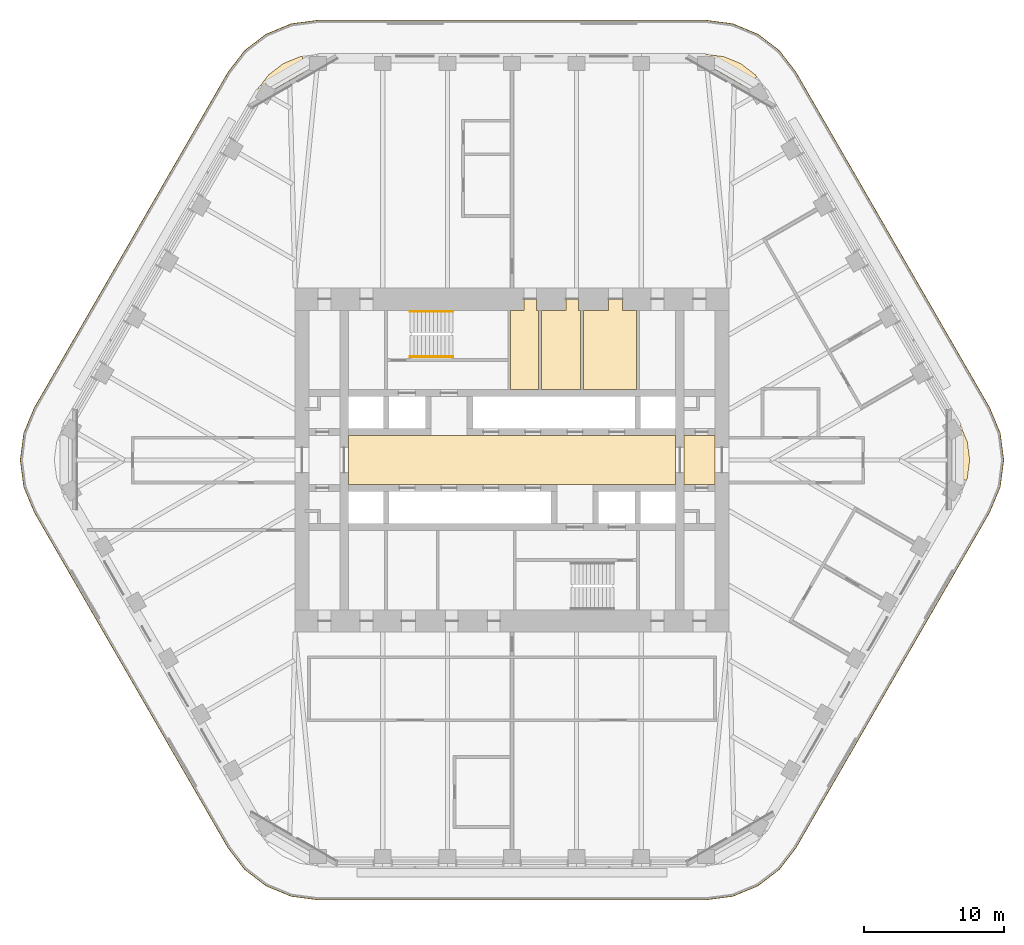
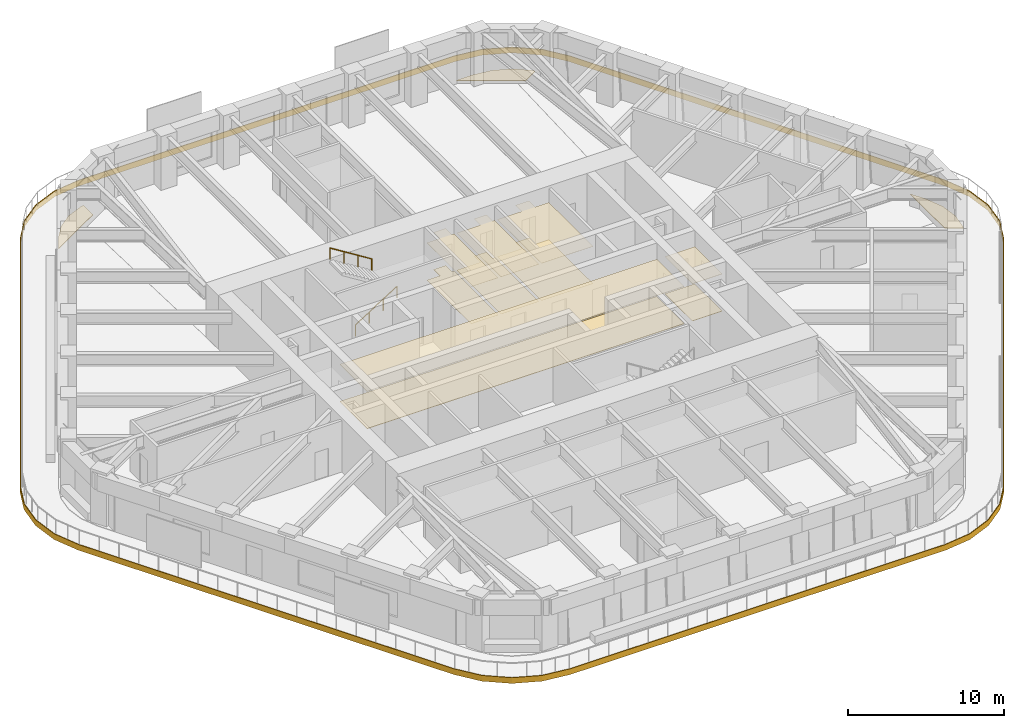
# One storey, part 19 of 20: 14 coverings, 2 railings.
"""IFC4 building model written with IfcOpenShell, lengths in metres."""

import ifcopenshell
import ifcopenshell.guid

model = None  # the IFC model being written
_history = None  # IfcOwnerHistory: only IFC2X3 demands one
_inside = {}  # id of a spatial element -> (the spatial element, [elements in it])
_under = {}  # id of a project, library or spatial element -> (it, [spatial elements below it])
_declared = {}  # id of a project -> (the project, [libraries it declares])
_typed = {}  # id of a type object -> (the type object, [elements of that type])
_made_of = {}  # id of a material, layer set ... -> (it, [elements and type objects made of it])


def new_model(schema):
    """Start an empty IFC model of exactly this schema.

    Asked for "IFC4X3", IfcOpenShell would pick the latest addendum, in which some entities
    have other attributes; the version numbers below select the first issue.
    IFC2X3 requires an IfcOwnerHistory on every rooted entity: one is made here for all.
    """
    global model, _history
    if schema == "IFC4X3":
        model = ifcopenshell.file(schema_version=(4, 3, 0, 0))
    else:
        model = ifcopenshell.file(schema=schema)
    _inside.clear()
    _under.clear()
    _declared.clear()
    _typed.clear()
    _made_of.clear()
    _history = None
    if model.schema == "IFC2X3":
        org = make("IfcOrganization", Name="unknown")
        user = make(
            "IfcPersonAndOrganization",
            ThePerson=make("IfcPerson", FamilyName="unknown"),
            TheOrganization=org,
        )
        app = make(
            "IfcApplication",
            ApplicationDeveloper=org,
            Version="unknown",
            ApplicationFullName="unknown",
            ApplicationIdentifier="unknown",
        )
        _history = make(
            "IfcOwnerHistory",
            OwningUser=user,
            OwningApplication=app,
            ChangeAction="ADDED",
            CreationDate=0,
        )
    return model


def make(cls, **values):
    """One entity of the class cls with the attributes given. An attribute that is None is left unset."""
    return model.create_entity(
        cls, **{name: value for name, value in values.items() if value is not None}
    )


def rooted(cls, **values):
    """An entity with a GlobalId (a new one), such as an element, a storey or a relation."""
    return make(cls, GlobalId=ifcopenshell.guid.new(), OwnerHistory=_history, **values)


def si_unit(unit_type, name, prefix=None):
    """IfcSIUnit, for example si_unit("LENGTHUNIT", "METRE", prefix="MILLI")."""
    return make("IfcSIUnit", UnitType=unit_type, Prefix=prefix, Name=name)


def assignment(units):
    """IfcUnitAssignment: the units of a project."""
    return None if units is None else make("IfcUnitAssignment", Units=units)


def point(xyz):
    """IfcCartesianPoint."""
    return None if xyz is None else make("IfcCartesianPoint", Coordinates=xyz)


def direction(xyz):
    """IfcDirection."""
    return None if xyz is None else make("IfcDirection", DirectionRatios=xyz)


def frame(location, z_axis=None, x_axis=None):
    """IfcAxis2Placement3D, a coordinate frame: its origin and axes. An axis left out is left unset."""
    return make(
        "IfcAxis2Placement3D",
        Location=point(location),
        Axis=direction(z_axis),
        RefDirection=direction(x_axis),
    )


def frame_2d(location, x_axis=None):
    """IfcAxis2Placement2D, a coordinate frame in the plane: its origin and x axis."""
    return make(
        "IfcAxis2Placement2D", Location=point(location), RefDirection=direction(x_axis)
    )


def origin():
    """The frame at (0, 0, 0) with its axes left unset."""
    return frame((0.0, 0.0, 0.0))


def origin_2d():
    """The frame at (0, 0) in the plane with its x axis left unset."""
    return frame_2d((0.0, 0.0))


def place(relative_to, where):
    """IfcLocalPlacement: puts the frame where relative to a parent placement (None: the world)."""
    return make(
        "IfcLocalPlacement", PlacementRelTo=relative_to, RelativePlacement=where
    )


def context(
    kind, dimensions, precision=None, world=None, true_north=None, identifier=None
):
    """IfcGeometricRepresentationContext, for example the 3D "Model" context."""
    return make(
        "IfcGeometricRepresentationContext",
        ContextIdentifier=identifier,
        ContextType=kind,
        CoordinateSpaceDimension=dimensions,
        Precision=precision,
        WorldCoordinateSystem=world,
        TrueNorth=true_north,
    )


def subcontext(parent, identifier, kind, view, scale=None):
    """IfcGeometricRepresentationSubContext, for example "Body" below "Model"."""
    return make(
        "IfcGeometricRepresentationSubContext",
        ContextIdentifier=identifier,
        ContextType=kind,
        ParentContext=parent,
        TargetScale=scale,
        TargetView=view,
    )


def project(units=None, contexts=None):
    """IfcProject with its units and contexts."""
    return rooted(
        "IfcProject",
        Name="project",
        RepresentationContexts=contexts,
        UnitsInContext=assignment(units),
    )


def spatial(cls, under=None, at=None, **own):
    """A site, building, storey or space (cls), placed at a placement, below another one or the project."""
    s = rooted(cls, ObjectPlacement=at, **own)
    if under is not None:
        _under.setdefault(under.id(), (under, []))[1].append(s)
    return s


def polyline(points):
    """IfcPolyline through the points."""
    return make("IfcPolyline", Points=[point(p) for p in points])


def profile(cls, at=None, kind="AREA", **sizes):
    """A parametric profile (cls). Its sizes go by their IFC names, for example OverallWidth=200.0."""
    return make(cls, ProfileType=kind, Position=at, **sizes)


def circle(**sizes):
    """IfcCircleProfileDef."""
    return profile("IfcCircleProfileDef", **sizes)


def outline(outer, holes=None, kind="AREA"):
    """IfcArbitraryClosedProfileDef: a profile drawn as a closed curve; with holes, ...WithVoids."""
    if holes is None:
        return make("IfcArbitraryClosedProfileDef", ProfileType=kind, OuterCurve=outer)
    return make(
        "IfcArbitraryProfileDefWithVoids",
        ProfileType=kind,
        OuterCurve=outer,
        InnerCurves=holes,
    )


def extrude(swept, where, along, depth):
    """IfcExtrudedAreaSolid: the profile swept, set in the frame where, extruded along a direction by depth."""
    return make(
        "IfcExtrudedAreaSolid",
        SweptArea=swept,
        Position=where,
        ExtrudedDirection=direction(along),
        Depth=depth,
    )


def shape(context_of_items, identifier, shape_type, items):
    """IfcShapeRepresentation: the items that make up one representation, for example the "Body"."""
    return make(
        "IfcShapeRepresentation",
        ContextOfItems=context_of_items,
        RepresentationIdentifier=identifier,
        RepresentationType=shape_type,
        Items=items,
    )


def material(Name=None, Category=None):
    """IfcMaterial."""
    return make("IfcMaterial", Name=Name, Category=Category)


def layer(
    of_material, thickness, ventilated=None, Name=None, Category=None, Priority=None
):
    """IfcMaterialLayer: one layer of a wall or slab, of a material (None: an air gap)."""
    return make(
        "IfcMaterialLayer",
        Material=of_material,
        LayerThickness=thickness,
        IsVentilated=ventilated,
        Name=Name,
        Category=Category,
        Priority=Priority,
    )


def layer_set(layers, Name=None):
    """IfcMaterialLayerSet."""
    return make("IfcMaterialLayerSet", MaterialLayers=layers, LayerSetName=Name)


def made_of(thing, what):
    """Note that an element or type object is made of a material, layer set ...; save() writes the relation."""
    if what is not None:
        _made_of.setdefault(what.id(), (what, []))[1].append(thing)
    return thing


def type_object(cls, material=None, **own):
    """A type object (cls), such as IfcWallType, which elements share."""
    return made_of(rooted(cls, **own), material)


def element(
    cls,
    number,
    at=None,
    inside=None,
    cuts=None,
    type_object=None,
    material=None,
    context=None,
    identifier="Body",
    shape_type=None,
    held_by="IfcProductDefinitionShape",
    body=None,
    shapes=None,
    **own,
):
    """One element of the class cls, such as IfcWall. Its Tag is "e" and its number.

    at: its placement. inside: the storey or other place that contains it. cuts: it is an
    opening in that element (IfcRelVoidsElement). A single representation is given by context,
    identifier, shape_type and body (its items); several are given by shapes. held_by: the class
    of the entity that holds the representations. save() writes the other relations.
    """
    e = rooted(cls, Tag="e%d" % number, ObjectPlacement=at, **own)
    if body is not None:
        shapes = [shape(context, identifier, shape_type, body)]
    if shapes is not None:
        e.Representation = make(held_by, Representations=shapes)
    if inside is not None:
        _inside.setdefault(inside.id(), (inside, []))[1].append(e)
    if cuts is not None:
        rooted(
            "IfcRelVoidsElement", RelatingBuildingElement=cuts, RelatedOpeningElement=e
        )
    if type_object is not None:
        _typed.setdefault(type_object.id(), (type_object, []))[1].append(e)
    return made_of(e, material)


def aggregate(whole, parts):
    """IfcRelAggregates: a whole, such as a stair, and the parts it consists of."""
    return rooted("IfcRelAggregates", RelatingObject=whole, RelatedObjects=parts)


def save(model, path):
    """Write the relations noted so far, then the file.

    IfcRelAggregates (storeys below a building ...), IfcRelContainedInSpatialStructure (elements
    in a storey), IfcRelDefinesByType, IfcRelAssociatesMaterial and IfcRelDeclares: one each for
    every whole, place, type object, material and project.
    """
    for whole, parts in _under.values():
        aggregate(whole, parts)
    for where, things in _inside.values():
        rooted(
            "IfcRelContainedInSpatialStructure",
            RelatedElements=things,
            RelatingStructure=where,
        )
    for kind, things in _typed.values():
        rooted("IfcRelDefinesByType", RelatedObjects=things, RelatingType=kind)
    for what, things in _made_of.values():
        rooted("IfcRelAssociatesMaterial", RelatedObjects=things, RelatingMaterial=what)
    for by, libraries in _declared.values():
        rooted("IfcRelDeclares", RelatingContext=by, RelatedDefinitions=libraries)
    model.write(path)


model = new_model("IFC4")

# Units and contexts
model_context = context("Model", 3, precision=1e-05, world=origin(), true_north=direction((0.0, 1.0)))
body_context = subcontext(model_context, "Body", "Model", "MODEL_VIEW")
ifc_project = project(units=[si_unit("LENGTHUNIT", "METRE"), si_unit("AREAUNIT", "SQUARE_METRE"), si_unit("VOLUMEUNIT", "CUBIC_METRE"), si_unit("PLANEANGLEUNIT", "RADIAN"), si_unit("MASSUNIT", "GRAM", prefix="KILO")], contexts=[model_context])

# Site, building, storey
site_placement = place(None, origin())
site = spatial("IfcSite", under=ifc_project, at=site_placement, CompositionType="ELEMENT")
building_placement = place(site_placement, origin())
building = spatial("IfcBuilding", under=site, at=building_placement, Name="Tarfa Lantern Tower", CompositionType="ELEMENT")
storey_placement = place(building_placement, frame((0.0, 0.0, 257.5)))
storey = spatial("IfcBuildingStorey", under=building, at=storey_placement, Name="L58", CompositionType="ELEMENT", Elevation=257.5)

# Coverings
ifc_material_1 = material(Name="Moisture-resistant plasterboard", Category="finish")
ifc_layer_1 = layer(ifc_material_1, 0.014892578125)
ifc_layer_set_1 = layer_set([ifc_layer_1], Name="CL2 MOISTURE-RESISTANT PLASTERBOARD CEILING 15")
covering_type_1 = type_object("IfcCoveringType", Name="CL2 MOISTURE-RESISTANT PLASTERBOARD CEILING 15", PredefinedType="CEILING", material=ifc_layer_set_1)
covering_1_placement = place(storey_placement, frame((0.0, 0.0, 2.89990234375)))
element("IfcCovering", 1, at=covering_1_placement, inside=storey, type_object=covering_type_1, Name="Ceiling L58-07", PredefinedType="CEILING", context=body_context, shape_type="SweptSolid", body=[
    extrude(outline(polyline([(0.85009765625, 10.699951171875), (-0.10009765625, 10.699951171875), (-0.10009765625, 5.050048828125), (1.89990234375, 5.050048828125), (1.89990234375, 10.699951171875), (1.75, 10.699951171875), (1.75, 11.5), (1.75, 11.5), (0.85009765625, 11.5), (0.85009765625, 10.699951171875)])), origin(), (0.0, 0.0, 1.0), 0.01513671875),
])
covering_2_placement = place(storey_placement, frame((0.0, 0.0, 2.89990234375)))
element("IfcCovering", 2, at=covering_2_placement, inside=storey, type_object=covering_type_1, Name="Ceiling L58-08", PredefinedType="CEILING", context=body_context, shape_type="SweptSolid", body=[
    extrude(outline(polyline([(2.10009765625, 5.050048828125), (4.89990234375, 5.050048828125), (4.89990234375, 10.699951171875), (4.75, 10.699951171875), (4.75, 11.5), (3.85009765625, 11.5), (3.85009765625, 10.699951171875), (2.10009765625, 10.699951171875), (2.10009765625, 5.050048828125)])), origin(), (0.0, 0.0, 1.0), 0.01513671875),
])
covering_3_placement = place(storey_placement, frame((0.0, 0.0, 2.89990234375)))
element("IfcCovering", 3, at=covering_3_placement, inside=storey, type_object=covering_type_1, Name="Ceiling L58-09", PredefinedType="CEILING", context=body_context, shape_type="SweptSolid", body=[
    extrude(outline(polyline([(5.10009765625, 5.050048828125), (8.89990234375, 5.050048828125), (8.89990234375, 10.699951171875), (7.89990234375, 10.699951171875), (7.89990234375, 11.5), (6.89990234375, 11.5), (6.89990234375, 10.699951171875), (5.10009765625, 10.699951171875), (5.10009765625, 5.050048828125)])), origin(), (0.0, 0.0, 1.0), 0.01513671875),
])
ifc_material_2 = material(Name="Powder-coated aluminium panel", Category="aluminium")
ifc_layer_2 = layer(ifc_material_2, 0.030029296875)
ifc_layer_set_2 = layer_set([ifc_layer_2], Name="CL3 METAL PANEL CEILING 30")
covering_type_2 = type_object("IfcCoveringType", Name="CL3 METAL PANEL CEILING 30", PredefinedType="CEILING", material=ifc_layer_set_2)
covering_4_placement = place(storey_placement, frame((0.0, 0.0, 2.89990234375)))
element("IfcCovering", 4, at=covering_4_placement, inside=storey, type_object=covering_type_2, Name="Ceiling L58-02", PredefinedType="CEILING", context=body_context, shape_type="SweptSolid", body=[
    extrude(outline(polyline([(-11.699951171875, -1.75), (11.699951171875, -1.75), (11.699951171875, 1.75), (-11.699951171875, 1.75), (-11.699951171875, -1.75)])), origin(), (0.0, 0.0, 1.0), 0.030029296875),
])
covering_5_placement = place(storey_placement, frame((0.0, 0.0, 2.89990234375)))
element("IfcCovering", 5, at=covering_5_placement, inside=storey, type_object=covering_type_2, Name="Ceiling L58-03", PredefinedType="CEILING", context=body_context, shape_type="SweptSolid", body=[
    extrude(outline(polyline([(12.300048828125, -1.75), (14.5, -1.75), (14.5, 1.75), (12.300048828125, 1.75), (12.300048828125, -1.75)])), origin(), (0.0, 0.0, 1.0), 0.030029296875),
])
ifc_material_3 = material(Name="Honed limestone flooring", Category="masonry")
ifc_layer_3 = layer(ifc_material_3, 0.030029296875)
ifc_layer_set_3 = layer_set([ifc_layer_3], Name="FL2 STONE FLOORING 30")
covering_type_3 = type_object("IfcCoveringType", Name="FL2 STONE FLOORING 30", PredefinedType="FLOORING", material=ifc_layer_set_3)
covering_6_placement = place(storey_placement, origin())
element("IfcCovering", 6, at=covering_6_placement, inside=storey, type_object=covering_type_3, Name="Floor finish L58-02", PredefinedType="FLOORING", context=body_context, shape_type="SweptSolid", body=[
    extrude(outline(polyline([(-11.699951171875, -1.75), (11.699951171875, -1.75), (11.699951171875, 1.75), (-11.699951171875, 1.75), (-11.699951171875, -1.75)])), origin(), (0.0, 0.0, 1.0), 0.030029296875),
])
covering_7_placement = place(storey_placement, origin())
element("IfcCovering", 7, at=covering_7_placement, inside=storey, type_object=covering_type_3, Name="Floor finish L58-03", PredefinedType="FLOORING", context=body_context, shape_type="SweptSolid", body=[
    extrude(outline(polyline([(12.300048828125, -1.75), (14.5, -1.75), (14.5, 1.75), (12.300048828125, 1.75), (12.300048828125, -1.75)])), origin(), (0.0, 0.0, 1.0), 0.030029296875),
])
ifc_material_4 = material(Name="Porcelain floor tile", Category="finish")
ifc_layer_4 = layer(ifc_material_4, 0.011962890625)
ifc_layer_set_4 = layer_set([ifc_layer_4], Name="FL3 CERAMIC TILE 12")
covering_type_4 = type_object("IfcCoveringType", Name="FL3 CERAMIC TILE 12", PredefinedType="FLOORING", material=ifc_layer_set_4)
covering_8_placement = place(storey_placement, origin())
element("IfcCovering", 8, at=covering_8_placement, inside=storey, type_object=covering_type_4, Name="Floor finish L58-07", PredefinedType="FLOORING", context=body_context, shape_type="SweptSolid", body=[
    extrude(outline(polyline([(0.85009765625, 10.699951171875), (-0.10009765625, 10.699951171875), (-0.10009765625, 5.050048828125), (1.89990234375, 5.050048828125), (1.89990234375, 10.699951171875), (1.75, 10.699951171875), (1.75, 11.5), (1.75, 11.5), (0.85009765625, 11.5), (0.85009765625, 10.699951171875)])), origin(), (0.0, 0.0, 1.0), 0.011962890625),
])
covering_9_placement = place(storey_placement, origin())
element("IfcCovering", 9, at=covering_9_placement, inside=storey, type_object=covering_type_4, Name="Floor finish L58-08", PredefinedType="FLOORING", context=body_context, shape_type="SweptSolid", body=[
    extrude(outline(polyline([(2.10009765625, 5.050048828125), (4.89990234375, 5.050048828125), (4.89990234375, 10.699951171875), (4.75, 10.699951171875), (4.75, 11.5), (3.85009765625, 11.5), (3.85009765625, 10.699951171875), (2.10009765625, 10.699951171875), (2.10009765625, 5.050048828125)])), origin(), (0.0, 0.0, 1.0), 0.011962890625),
])
covering_10_placement = place(storey_placement, origin())
element("IfcCovering", 10, at=covering_10_placement, inside=storey, type_object=covering_type_4, Name="Floor finish L58-09", PredefinedType="FLOORING", context=body_context, shape_type="SweptSolid", body=[
    extrude(outline(polyline([(5.10009765625, 5.050048828125), (8.89990234375, 5.050048828125), (8.89990234375, 10.699951171875), (7.89990234375, 10.699951171875), (7.89990234375, 11.5), (6.89990234375, 11.5), (6.89990234375, 10.699951171875), (5.10009765625, 10.699951171875), (5.10009765625, 5.050048828125)])), origin(), (0.0, 0.0, 1.0), 0.011962890625),
])

# Railings
ifc_material_5 = material(Name="Stainless steel", Category="steel")
railing_type = type_object("IfcRailingType", Name="HR1 HANDRAIL 900", PredefinedType="HANDRAIL", material=ifc_material_5)
railing_1_placement = place(storey_placement, frame((-7.300048828125, 7.3798828125, 0.175048828125)))
element("IfcRailing", 11, at=railing_1_placement, inside=storey, type_object=railing_type, Name="Handrail 1", PredefinedType="HANDRAIL", context=body_context, shape_type="SweptSolid", body=[
    extrude(circle(Radius=0.02392578125, at=origin_2d()), frame((0.0, 0.0, 0.8759765625), z_axis=(0.847998304005, 0.0, 0.529998940003), x_axis=(0.0, 1.0, 0.0)), (0.0, 0.0, 1.0), 3.632080078125),
    extrude(circle(Radius=0.02099609375, at=origin_2d()), frame((0.0, 0.0, 0.0), z_axis=(0.0, 0.0, 1.0), x_axis=(0.0, 1.0, 0.0)), (0.0, 0.0, 1.0), 0.851806640625),
    extrude(circle(Radius=0.02099609375, at=origin_2d()), frame((1.026611328125, 0.0, 0.6416015625), z_axis=(0.0, 0.0, 1.0), x_axis=(0.0, 1.0, 0.0)), (0.0, 0.0, 1.0), 0.851806640625),
    extrude(circle(Radius=0.02099609375, at=origin_2d()), frame((2.053466796875, 0.0, 1.283447265625), z_axis=(0.0, 0.0, 1.0), x_axis=(0.0, 1.0, 0.0)), (0.0, 0.0, 1.0), 0.851806640625),
    extrude(circle(Radius=0.02099609375, at=origin_2d()), frame((3.080078125, 0.0, 1.925048828125), z_axis=(0.0, 0.0, 1.0), x_axis=(0.0, 1.0, 0.0)), (0.0, 0.0, 1.0), 0.851806640625),
])
railing_2_placement = place(storey_placement, frame((-4.219970703125, 10.6201171875, 2.27490234375)))
element("IfcRailing", 12, at=railing_2_placement, inside=storey, type_object=railing_type, Name="Handrail 2", PredefinedType="HANDRAIL", context=body_context, shape_type="SweptSolid", body=[
    extrude(circle(Radius=0.02392578125, at=origin_2d()), frame((0.0, 0.0, 0.8759765625), z_axis=(-0.847998304005, 0.0, 0.529998940003), x_axis=(0.0, -1.0, 0.0)), (0.0, 0.0, 1.0), 3.632080078125),
    extrude(circle(Radius=0.02099609375, at=origin_2d()), frame((0.0, 0.0, 0.0), z_axis=(0.0, 0.0, 1.0), x_axis=(0.0, -1.0, 0.0)), (0.0, 0.0, 1.0), 0.851806640625),
    extrude(circle(Radius=0.02099609375, at=origin_2d()), frame((-1.026611328125, 0.0, 0.6416015625), z_axis=(0.0, 0.0, 1.0), x_axis=(0.0, -1.0, 0.0)), (0.0, 0.0, 1.0), 0.851806640625),
    extrude(circle(Radius=0.02099609375, at=origin_2d()), frame((-2.053466796875, 0.0, 1.283447265625), z_axis=(0.0, 0.0, 1.0), x_axis=(0.0, -1.0, 0.0)), (0.0, 0.0, 1.0), 0.851806640625),
    extrude(circle(Radius=0.02099609375, at=origin_2d()), frame((-3.080078125, 0.0, 1.925048828125), z_axis=(0.0, 0.0, 1.0), x_axis=(0.0, -1.0, 0.0)), (0.0, 0.0, 1.0), 0.851806640625),
])

# Coverings
ifc_material_6 = material(Name="Porcelain pavers on pedestals", Category="ceramic")
ifc_layer_5 = layer(ifc_material_6, 0.0400390625)
ifc_layer_set_5 = layer_set([ifc_layer_5], Name="LP1 LOGGIA PAVING 40")
covering_type_5 = type_object("IfcCoveringType", Name="LP1 LOGGIA PAVING 40", PredefinedType="FLOORING", material=ifc_layer_set_5)
covering_11_placement = place(storey_placement, origin())
element("IfcCovering", 13, at=covering_11_placement, inside=storey, type_object=covering_type_5, Name="Sky garden paving NE-N", PredefinedType="FLOORING", context=body_context, shape_type="SweptSolid", body=[
    extrude(outline(polyline([(15.150390625, 28.82958984375), (16.3564453125, 28.330078125), (17.391845703125, 27.53564453125), (17.51123046875, 27.380126953125), (16.4765625, 26.782958984375), (12.641357421875, 28.997314453125), (12.64306640625, 29.0), (13.8564453125, 29.0), (15.150390625, 28.82958984375)])), origin(), (0.0, 0.0, 1.0), 0.0400390625),
])
covering_12_placement = place(storey_placement, origin())
element("IfcCovering", 14, at=covering_12_placement, inside=storey, type_object=covering_type_5, Name="Sky garden paving N-NW", PredefinedType="FLOORING", context=body_context, shape_type="SweptSolid", body=[
    extrude(outline(polyline([(-17.391845703125, 27.53564453125), (-16.3564453125, 28.330078125), (-15.150390625, 28.82958984375), (-14.956298828125, 28.855224609375), (-14.956298828125, 27.66064453125), (-18.791748046875, 25.4462890625), (-18.793212890625, 25.44921875), (-18.1865234375, 26.5), (-17.391845703125, 27.53564453125)])), origin(), (0.0, 0.0, 1.0), 0.0400390625),
])
covering_13_placement = place(storey_placement, origin())
element("IfcCovering", 15, at=covering_13_placement, inside=storey, type_object=covering_type_5, Name="Sky garden paving SE-NE", PredefinedType="FLOORING", context=body_context, shape_type="SweptSolid", body=[
    extrude(outline(polyline([(32.54248046875, 1.294189453125), (32.712890625, 0.0), (32.54248046875, -1.294189453125), (32.467529296875, -1.474853515625), (31.43310546875, -0.877685546875), (31.43310546875, 3.55078125), (31.436279296875, 3.55078125), (32.04296875, 2.5), (32.54248046875, 1.294189453125)])), origin(), (0.0, 0.0, 1.0), 0.0400390625),
])
ifc_material_7 = material(Name="Limestone cladding on brackets", Category="masonry")
ifc_layer_6 = layer(ifc_material_7, 0.050048828125)
ifc_layer_set_6 = layer_set([ifc_layer_6], Name="SB1 STONE BAND CLADDING 50")
covering_type_6 = type_object("IfcCoveringType", Name="SB1 STONE BAND CLADDING 50", PredefinedType="CLADDING", material=ifc_layer_set_6)
covering_14_placement = place(storey_placement, frame((0.0, 0.0, -0.39990234375)))
element("IfcCovering", 16, at=covering_14_placement, inside=storey, type_object=covering_type_6, Name="Stone band", PredefinedType="CLADDING", context=body_context, shape_type="SweptSolid", body=[
    extrude(outline(polyline([(34.164794921875, 3.72509765625), (20.308349609375, 27.72509765625), (19.124267578125, 29.26806640625), (17.581298828125, 30.451904296875), (15.78466796875, 31.196044921875), (13.8564453125, 31.449951171875), (-13.8564453125, 31.449951171875), (-15.78466796875, 31.196044921875), (-17.581298828125, 30.451904296875), (-19.124267578125, 29.26806640625), (-20.308349609375, 27.72509765625), (-34.164794921875, 3.72509765625), (-34.908935546875, 1.92822265625), (-35.162841796875, 0.0), (-34.908935546875, -1.92822265625), (-34.164794921875, -3.72509765625), (-20.308349609375, -27.72509765625), (-19.124267578125, -29.26806640625), (-17.581298828125, -30.451904296875), (-15.78466796875, -31.196044921875), (-13.8564453125, -31.449951171875), (13.8564453125, -31.449951171875), (15.78466796875, -31.196044921875), (17.581298828125, -30.451904296875), (19.124267578125, -29.26806640625), (20.308349609375, -27.72509765625), (34.164794921875, -3.72509765625), (34.908935546875, -1.92822265625), (35.162841796875, 0.0), (34.908935546875, 1.92822265625), (34.164794921875, 3.72509765625)]), holes=[polyline([(34.121337890625, 3.699951171875), (20.264892578125, 27.699951171875), (19.089111328125, 29.232666015625), (17.556396484375, 30.40869140625), (15.771728515625, 31.14794921875), (13.8564453125, 31.39990234375), (-13.8564453125, 31.39990234375), (-15.771728515625, 31.14794921875), (-17.556396484375, 30.40869140625), (-19.089111328125, 29.232666015625), (-20.264892578125, 27.699951171875), (-34.121337890625, 3.699951171875), (-34.860595703125, 1.915283203125), (-35.11279296875, 0.0), (-34.860595703125, -1.915283203125), (-34.121337890625, -3.699951171875), (-20.264892578125, -27.699951171875), (-19.089111328125, -29.232666015625), (-17.556396484375, -30.40869140625), (-15.771728515625, -31.14794921875), (-13.8564453125, -31.39990234375), (13.8564453125, -31.39990234375), (15.771728515625, -31.14794921875), (17.556396484375, -30.40869140625), (19.089111328125, -29.232666015625), (20.264892578125, -27.699951171875), (34.121337890625, -3.699951171875), (34.860595703125, -1.915283203125), (35.11279296875, 0.0), (34.860595703125, 1.915283203125), (34.121337890625, 3.699951171875)])]), origin(), (0.0, 0.0, 1.0), 0.449951171875),
])

save(model, "model.ifc")
